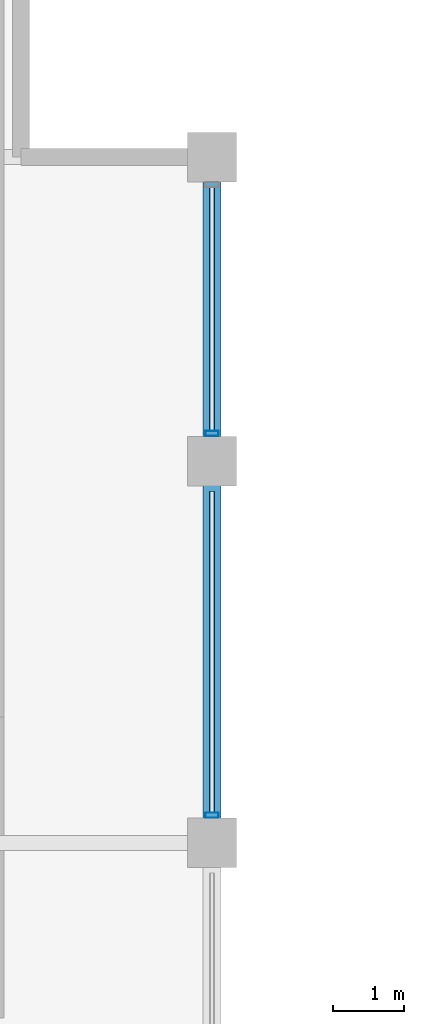
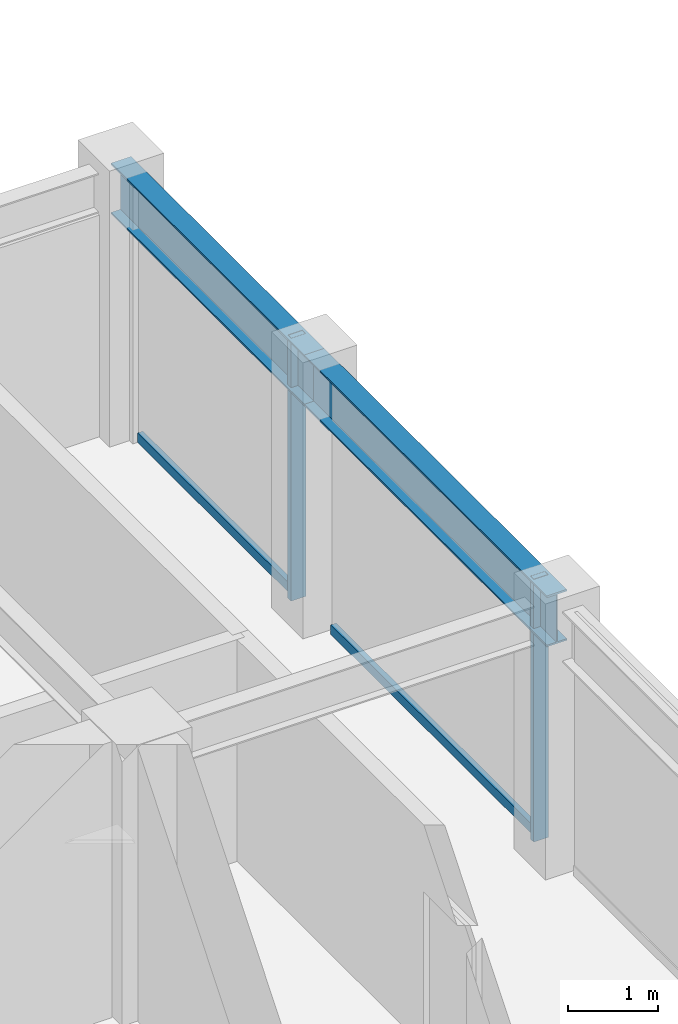
# One storey, part 21 of 32: 4 members, 2 beams, 1 element without a shape of its own.
"""IFC4 building model written with IfcOpenShell, lengths in metres."""

from ifc_helpers import new_model, si_unit, direction, frame, origin, origin_2d, place, context, subcontext, project, spatial, hollow_rectangle, i_section, extrude, material, layer, layer_set, material_profile, profile_set, type_object, element, aggregate, save


model = new_model("IFC4")

# Units and contexts
model_context = context("Model", 3, precision=1e-05, world=origin(), true_north=direction((0.0, 1.0)))
body_context = subcontext(model_context, "Body", "Model", "MODEL_VIEW")
ifc_project = project(units=[si_unit("LENGTHUNIT", "METRE"), si_unit("AREAUNIT", "SQUARE_METRE"), si_unit("VOLUMEUNIT", "CUBIC_METRE"), si_unit("PLANEANGLEUNIT", "RADIAN"), si_unit("MASSUNIT", "GRAM", prefix="KILO")], contexts=[model_context])

# Site, building, storey
site_placement = place(None, origin())
site = spatial("IfcSite", under=ifc_project, at=site_placement, CompositionType="ELEMENT")
building_placement = place(site_placement, origin())
building = spatial("IfcBuilding", under=site, at=building_placement, Name="Surkhivell Harbour Commons", CompositionType="ELEMENT")
storey_placement = place(building_placement, frame((0.0, 0.0, 311.25)))
storey = spatial("IfcBuildingStorey", under=building, at=storey_placement, Name="L81", CompositionType="ELEMENT", Elevation=311.25)

# Beams
ifc_material_1 = material(Name="Steel S355", Category="steel")
ifc_material_profile_1 = material_profile(ifc_material_1, i_section(OverallWidth=0.256103515625, OverallDepth=0.693115234375, WebThickness=0.014404296875, FlangeThickness=0.023681640625, at=origin_2d()), Name="UB686x254x170")
ifc_profile_set_1 = profile_set([ifc_material_profile_1], Name="Steel S355")
beam_type = type_object("IfcBeamType", Name="BM-SPN-686", PredefinedType="SPANDREL", material=ifc_profile_set_1)
beam_1_placement = place(storey_placement, frame((16.199951171875, 10.800048828125, 3.223388671875), z_axis=(0.0, 1.0, 0.0), x_axis=(-1.0, 0.0, 0.0)))
element("IfcBeam", 1, at=beam_1_placement, inside=storey, type_object=beam_type, Name="L81 Tube Spandrel (16.2,10.8)", PredefinedType="SPANDREL", context=body_context, shape_type="SweptSolid", body=[
    extrude(i_section(OverallWidth=0.256103515625, OverallDepth=0.693115234375, WebThickness=0.014404296875, FlangeThickness=0.023681640625, at=origin_2d()), origin(), (0.0, 0.0, 1.0), 5.39990234375),
])
beam_2_placement = place(storey_placement, frame((16.199951171875, 16.199951171875, 3.223388671875), z_axis=(0.0, 1.0, 0.0), x_axis=(-1.0, 0.0, 0.0)))
element("IfcBeam", 2, at=beam_2_placement, inside=storey, type_object=beam_type, Name="L81 Tube Spandrel (16.2,16.2)", PredefinedType="SPANDREL", context=body_context, shape_type="SweptSolid", body=[
    extrude(i_section(OverallWidth=0.256103515625, OverallDepth=0.693115234375, WebThickness=0.014404296875, FlangeThickness=0.023681640625, at=origin_2d()), origin(), (0.0, 0.0, 1.0), 4.300048828125),
])

# Curtain wall, members
ifc_material_2 = material(Name="Anodised pale-metal aluminium and insulated glazing", Category="aluminium")
ifc_layer = layer(ifc_material_2, 0.175048828125)
ifc_layer_set = layer_set([ifc_layer], Name="Anodised pale-metal aluminium and insulated glazing")
curtain_wall_type = type_object("IfcCurtainWallType", Name="CW-SYS-Z4", PredefinedType="NOTDEFINED", material=ifc_layer_set)
curtain_wall_placement = place(storey_placement, origin())
curtain_wall = element("IfcCurtainWall", 3, at=curtain_wall_placement, inside=storey, type_object=curtain_wall_type, Name="L81 Curtain Wall CW-L81-E02R2", PredefinedType="NOTDEFINED")
ifc_material_3 = material(Name="Anodised pale-metal aluminium alloy 6063-T6", Category="aluminium")
ifc_material_profile_2 = material_profile(ifc_material_3, hollow_rectangle(XDim=0.074951171875, YDim=0.18994140625, WallThickness=0.00390625, at=origin_2d()), Name="ALU-MULL-75x190")
ifc_profile_set_2 = profile_set([ifc_material_profile_2], Name="Anodised pale-metal aluminium alloy 6063-T6")
member_type_1 = type_object("IfcMemberType", Name="CWM-190", PredefinedType="MULLION", material=ifc_profile_set_2)
member_1_placement = place(storey_placement, frame((16.199951171875, 11.189453125, 0.0), z_axis=(0.0, 0.0, 1.0), x_axis=(0.0, 1.0, 0.0)))
member_1 = element("IfcMember", 4, at=member_1_placement, type_object=member_type_1, Name="CW-Z4 mullion 2", PredefinedType="MULLION", context=body_context, shape_type="SweptSolid", body=[
    extrude(hollow_rectangle(XDim=0.074951171875, YDim=0.18994140625, WallThickness=0.00390625, at=origin_2d()), origin(), (0.0, 0.0, 1.0), 3.570068359375),
])
member_2_placement = place(storey_placement, frame((16.199951171875, 16.589599609375, 0.0), z_axis=(0.0, 0.0, 1.0), x_axis=(0.0, 1.0, 0.0)))
member_2 = element("IfcMember", 5, at=member_2_placement, type_object=member_type_1, Name="CW-Z4 mullion 3", PredefinedType="MULLION", context=body_context, shape_type="SweptSolid", body=[
    extrude(hollow_rectangle(XDim=0.074951171875, YDim=0.18994140625, WallThickness=0.00390625, at=origin_2d()), origin(), (0.0, 0.0, 1.0), 3.570068359375),
])
ifc_material_4 = material(Name="Champagne anodised aluminium alloy 6063-T6", Category="aluminium")
ifc_material_profile_3 = material_profile(ifc_material_4, hollow_rectangle(XDim=0.070068359375, YDim=0.1298828125, WallThickness=0.00341796875, at=origin_2d()), Name="ALU-TRAN-70x130")
ifc_profile_set_3 = profile_set([ifc_material_profile_3], Name="Champagne anodised aluminium alloy 6063-T6")
member_type_2 = type_object("IfcMemberType", Name="CWT-130", PredefinedType="USERDEFINED", material=ifc_profile_set_3)
member_3_placement = place(storey_placement, frame((16.199951171875, 11.22705078125, 0.06494140625), z_axis=(0.0, 1.0, 0.0), x_axis=(-1.0, 0.0, 0.0)))
member_3 = element("IfcMember", 6, at=member_3_placement, type_object=member_type_2, Name="CW-Z4 transom 2.1", ObjectType="TRANSOM", PredefinedType="USERDEFINED", context=body_context, shape_type="SweptSolid", body=[
    extrude(hollow_rectangle(XDim=0.070068359375, YDim=0.1298828125, WallThickness=0.00341796875, at=origin_2d()), origin(), (0.0, 0.0, 1.0), 4.5458984375),
])
member_4_placement = place(storey_placement, frame((16.199951171875, 16.626953125, 0.06494140625), z_axis=(0.0, 1.0, 0.0), x_axis=(-1.0, 0.0, 0.0)))
member_4 = element("IfcMember", 7, at=member_4_placement, type_object=member_type_2, Name="CW-Z4 transom 3.1", ObjectType="TRANSOM", PredefinedType="USERDEFINED", context=body_context, shape_type="SweptSolid", body=[
    extrude(hollow_rectangle(XDim=0.070068359375, YDim=0.1298828125, WallThickness=0.00341796875, at=origin_2d()), origin(), (0.0, 0.0, 1.0), 3.446044921875),
])
aggregate(curtain_wall, [member_1, member_3, member_2, member_4])

save(model, "model.ifc")
